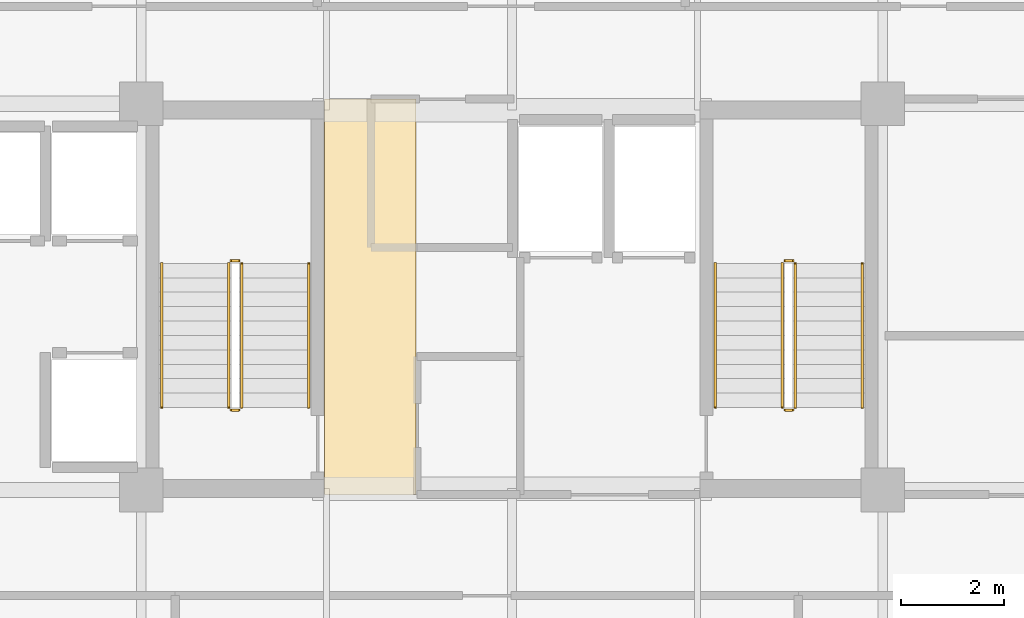
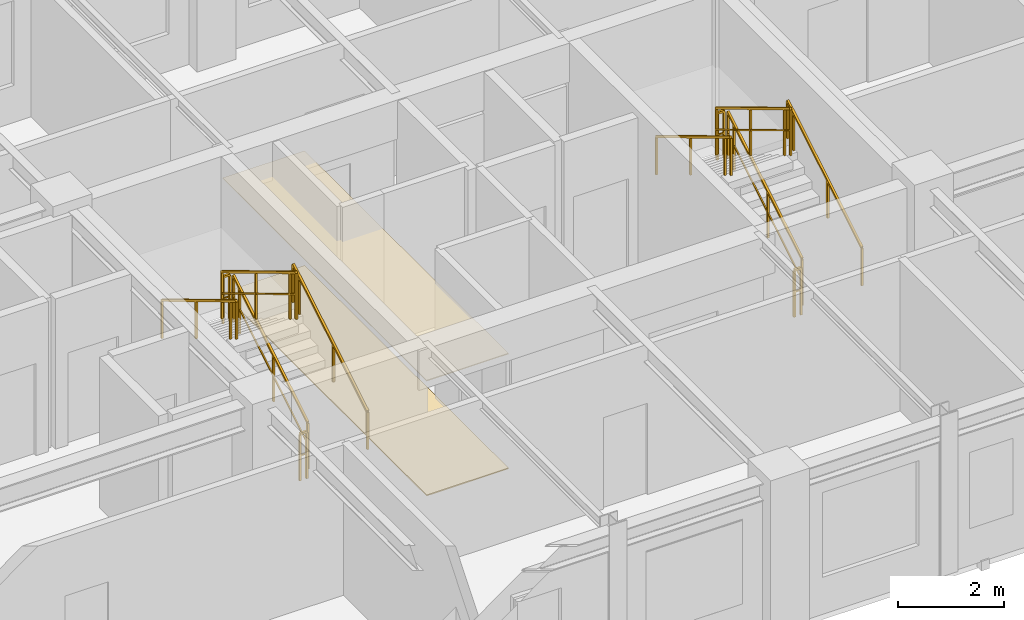
# One storey, part 10 of 11: 12 railings, 2 coverings.
"""IFC4 building model written with IfcOpenShell, lengths in metres."""

from ifc_helpers import new_model, si_unit, direction, frame, origin, origin_2d, place, context, subcontext, project, spatial, rectangle, extrude, source, transform, mapped, material, layer, layer_set, type_object, element, save


model = new_model("IFC4")

# Units and contexts
model_context = context("Model", 3, precision=1e-05, world=origin(), true_north=direction((0.0, 1.0)))
body_context = subcontext(model_context, "Body", "Model", "MODEL_VIEW")
ifc_project = project(units=[si_unit("LENGTHUNIT", "METRE"), si_unit("AREAUNIT", "SQUARE_METRE"), si_unit("VOLUMEUNIT", "CUBIC_METRE"), si_unit("PLANEANGLEUNIT", "RADIAN"), si_unit("MASSUNIT", "GRAM", prefix="KILO")], contexts=[model_context])

# Site, building, storey
site_placement = place(None, origin())
site = spatial("IfcSite", under=ifc_project, at=site_placement, CompositionType="ELEMENT")
building_placement = place(site_placement, origin())
building = spatial("IfcBuilding", under=site, at=building_placement, Name="Kaliganga Portal Commons", CompositionType="ELEMENT")
storey_placement = place(building_placement, frame((0.0, 0.0, 272.10009765625)))
storey = spatial("IfcBuildingStorey", under=building, at=storey_placement, Name="L70", CompositionType="ELEMENT", Elevation=272.10009765625)

# Railings
ifc_material_1 = material(Name="Galvanized Painted Steel Balustrade", Category="steel")
railing_type_1 = type_object("IfcRailingType", Name="RLG-STAIR-GRD", PredefinedType="GUARDRAIL", material=ifc_material_1)
railing_1_placement = place(storey_placement, frame((16.35009765625, 30.25, 0.16796875)))
element("IfcRailing", 1, at=railing_1_placement, inside=storey, type_object=railing_type_1, Name="L70 ST-A1 stair guard 1", PredefinedType="GUARDRAIL", context=body_context, shape_type="SweptSolid", body=[
    extrude(rectangle(XDim=0.048095703125, YDim=0.048095703125, at=origin_2d()), frame((0.0, 0.0, 1.072021484375), z_axis=(0.0, 0.857242210791, 0.514913383045), x_axis=(-1.0, 0.0, 0.0)), (0.0, 0.0, 1.0), 3.266357421875),
    extrude(rectangle(XDim=0.028076171875, YDim=0.028076171875, at=origin_2d()), frame((0.0, 0.0, 0.572021484375), z_axis=(0.0, 0.857242210791, 0.514913383045), x_axis=(-1.0, 0.0, 0.0)), (0.0, 0.0, 1.0), 3.266357421875),
    extrude(rectangle(XDim=0.0419921875, YDim=0.0419921875, at=origin_2d()), origin(), (0.0, 0.0, 1.0), 1.052001953125),
    extrude(rectangle(XDim=0.0419921875, YDim=0.0419921875, at=origin_2d()), frame((0.0, 1.285888671875, 0.7724609375)), (0.0, 0.0, 1.0), 1.052001953125),
    extrude(rectangle(XDim=0.0419921875, YDim=0.0419921875, at=origin_2d()), frame((0.0, 2.57177734375, 1.544677734375)), (0.0, 0.0, 1.0), 1.052001953125),
    extrude(rectangle(XDim=0.0419921875, YDim=0.0419921875, at=origin_2d()), frame((0.0, 2.800048828125, 1.681884765625)), (0.0, 0.0, 1.0), 1.052001953125),
])
railing_2_placement = place(storey_placement, frame((16.300048828125, 33.10009765625, 1.849853515625)))
element("IfcRailing", 2, at=railing_2_placement, inside=storey, type_object=railing_type_1, Name="L70 ST-A1 stair guard 2", PredefinedType="GUARDRAIL", context=body_context, shape_type="SweptSolid", body=[
    extrude(rectangle(XDim=0.048095703125, YDim=0.048095703125, at=origin_2d()), frame((0.0, 0.0, 1.076171875), z_axis=(-1.0, 0.0, 0.0), x_axis=(0.0, -1.0, 0.0)), (0.0, 0.0, 1.0), 0.150146484375),
    extrude(rectangle(XDim=0.028076171875, YDim=0.028076171875, at=origin_2d()), frame((0.0, 0.0, 0.572021484375), z_axis=(-1.0, 0.0, 0.0), x_axis=(0.0, -1.0, 0.0)), (0.0, 0.0, 1.0), 0.150146484375),
    extrude(rectangle(XDim=0.0419921875, YDim=0.0419921875, at=origin_2d()), origin(), (0.0, 0.0, 1.0), 1.052001953125),
    extrude(rectangle(XDim=0.0419921875, YDim=0.0419921875, at=origin_2d()), frame((-0.150146484375, 0.0, 0.0)), (0.0, 0.0, 1.0), 1.052001953125),
])
railing_3_placement = place(storey_placement, frame((16.10009765625, 33.050048828125, 2.01806640625)))
element("IfcRailing", 3, at=railing_3_placement, inside=storey, type_object=railing_type_1, Name="L70 ST-A1 stair guard 3", PredefinedType="GUARDRAIL", context=body_context, shape_type="SweptSolid", body=[
    extrude(rectangle(XDim=0.048095703125, YDim=0.048095703125, at=origin_2d()), frame((0.0, 0.0, 1.072021484375), z_axis=(0.0, -0.857242210791, 0.514913383045), x_axis=(1.0, 0.0, 0.0)), (0.0, 0.0, 1.0), 3.266357421875),
    extrude(rectangle(XDim=0.028076171875, YDim=0.028076171875, at=origin_2d()), frame((0.0, 0.0, 0.572021484375), z_axis=(0.0, -0.857242210791, 0.514913383045), x_axis=(1.0, 0.0, 0.0)), (0.0, 0.0, 1.0), 3.266357421875),
    extrude(rectangle(XDim=0.0419921875, YDim=0.0419921875, at=origin_2d()), origin(), (0.0, 0.0, 1.0), 1.052001953125),
    extrude(rectangle(XDim=0.0419921875, YDim=0.0419921875, at=origin_2d()), frame((0.0, -1.285888671875, 0.7724609375)), (0.0, 0.0, 1.0), 1.052001953125),
    extrude(rectangle(XDim=0.0419921875, YDim=0.0419921875, at=origin_2d()), frame((0.0, -2.57177734375, 1.544677734375)), (0.0, 0.0, 1.0), 1.052001953125),
    extrude(rectangle(XDim=0.0419921875, YDim=0.0419921875, at=origin_2d()), frame((0.0, -2.800048828125, 1.681884765625)), (0.0, 0.0, 1.0), 1.052001953125),
])
railing_4_placement = place(storey_placement, frame((16.300048828125, 30.199951171875, 0.0)))
element("IfcRailing", 4, at=railing_4_placement, inside=storey, type_object=railing_type_1, Name="L70 ST-A1 stair guard 4", PredefinedType="GUARDRAIL", context=body_context, shape_type="SweptSolid", body=[
    extrude(rectangle(XDim=0.048095703125, YDim=0.048095703125, at=origin_2d()), frame((0.0, 0.0, 1.076171875), z_axis=(-1.0, 0.0, 0.0), x_axis=(0.0, -1.0, 0.0)), (0.0, 0.0, 1.0), 0.150146484375),
    extrude(rectangle(XDim=0.028076171875, YDim=0.028076171875, at=origin_2d()), frame((0.0, 0.0, 0.572021484375), z_axis=(-1.0, 0.0, 0.0), x_axis=(0.0, -1.0, 0.0)), (0.0, 0.0, 1.0), 0.150146484375),
    extrude(rectangle(XDim=0.0419921875, YDim=0.0419921875, at=origin_2d()), origin(), (0.0, 0.0, 1.0), 1.052001953125),
    extrude(rectangle(XDim=0.0419921875, YDim=0.0419921875, at=origin_2d()), frame((-0.150146484375, 0.0, 0.0)), (0.0, 0.0, 1.0), 1.052001953125),
])
railing_5_placement = place(storey_placement, frame((27.10009765625, 30.25, 0.16796875)))
element("IfcRailing", 5, at=railing_5_placement, inside=storey, type_object=railing_type_1, Name="L70 ST-A2 stair guard 1", PredefinedType="GUARDRAIL", context=body_context, shape_type="SweptSolid", body=[
    extrude(rectangle(XDim=0.048095703125, YDim=0.048095703125, at=origin_2d()), frame((0.0, 0.0, 1.072021484375), z_axis=(0.0, 0.857242210791, 0.514913383045), x_axis=(-1.0, 0.0, 0.0)), (0.0, 0.0, 1.0), 3.266357421875),
    extrude(rectangle(XDim=0.028076171875, YDim=0.028076171875, at=origin_2d()), frame((0.0, 0.0, 0.572021484375), z_axis=(0.0, 0.857242210791, 0.514913383045), x_axis=(-1.0, 0.0, 0.0)), (0.0, 0.0, 1.0), 3.266357421875),
    extrude(rectangle(XDim=0.0419921875, YDim=0.0419921875, at=origin_2d()), origin(), (0.0, 0.0, 1.0), 1.052001953125),
    extrude(rectangle(XDim=0.0419921875, YDim=0.0419921875, at=origin_2d()), frame((0.0, 1.285888671875, 0.7724609375)), (0.0, 0.0, 1.0), 1.052001953125),
    extrude(rectangle(XDim=0.0419921875, YDim=0.0419921875, at=origin_2d()), frame((0.0, 2.57177734375, 1.544677734375)), (0.0, 0.0, 1.0), 1.052001953125),
    extrude(rectangle(XDim=0.0419921875, YDim=0.0419921875, at=origin_2d()), frame((0.0, 2.800048828125, 1.681884765625)), (0.0, 0.0, 1.0), 1.052001953125),
])
railing_6_placement = place(storey_placement, frame((27.050048828125, 33.10009765625, 1.849853515625)))
element("IfcRailing", 6, at=railing_6_placement, inside=storey, type_object=railing_type_1, Name="L70 ST-A2 stair guard 2", PredefinedType="GUARDRAIL", context=body_context, shape_type="SweptSolid", body=[
    extrude(rectangle(XDim=0.048095703125, YDim=0.048095703125, at=origin_2d()), frame((0.0, 0.0, 1.076171875), z_axis=(-1.0, 0.0, 0.0), x_axis=(0.0, -1.0, 0.0)), (0.0, 0.0, 1.0), 0.150146484375),
    extrude(rectangle(XDim=0.028076171875, YDim=0.028076171875, at=origin_2d()), frame((0.0, 0.0, 0.572021484375), z_axis=(-1.0, 0.0, 0.0), x_axis=(0.0, -1.0, 0.0)), (0.0, 0.0, 1.0), 0.150146484375),
    extrude(rectangle(XDim=0.0419921875, YDim=0.0419921875, at=origin_2d()), origin(), (0.0, 0.0, 1.0), 1.052001953125),
    extrude(rectangle(XDim=0.0419921875, YDim=0.0419921875, at=origin_2d()), frame((-0.150146484375, 0.0, 0.0)), (0.0, 0.0, 1.0), 1.052001953125),
])
railing_7_placement = place(storey_placement, frame((26.85009765625, 33.050048828125, 2.01806640625)))
element("IfcRailing", 7, at=railing_7_placement, inside=storey, type_object=railing_type_1, Name="L70 ST-A2 stair guard 3", PredefinedType="GUARDRAIL", context=body_context, shape_type="SweptSolid", body=[
    extrude(rectangle(XDim=0.048095703125, YDim=0.048095703125, at=origin_2d()), frame((0.0, 0.0, 1.072021484375), z_axis=(0.0, -0.857242210791, 0.514913383045), x_axis=(1.0, 0.0, 0.0)), (0.0, 0.0, 1.0), 3.266357421875),
    extrude(rectangle(XDim=0.028076171875, YDim=0.028076171875, at=origin_2d()), frame((0.0, 0.0, 0.572021484375), z_axis=(0.0, -0.857242210791, 0.514913383045), x_axis=(1.0, 0.0, 0.0)), (0.0, 0.0, 1.0), 3.266357421875),
    extrude(rectangle(XDim=0.0419921875, YDim=0.0419921875, at=origin_2d()), origin(), (0.0, 0.0, 1.0), 1.052001953125),
    extrude(rectangle(XDim=0.0419921875, YDim=0.0419921875, at=origin_2d()), frame((0.0, -1.285888671875, 0.7724609375)), (0.0, 0.0, 1.0), 1.052001953125),
    extrude(rectangle(XDim=0.0419921875, YDim=0.0419921875, at=origin_2d()), frame((0.0, -2.57177734375, 1.544677734375)), (0.0, 0.0, 1.0), 1.052001953125),
    extrude(rectangle(XDim=0.0419921875, YDim=0.0419921875, at=origin_2d()), frame((0.0, -2.800048828125, 1.681884765625)), (0.0, 0.0, 1.0), 1.052001953125),
])
railing_8_placement = place(storey_placement, frame((27.050048828125, 30.199951171875, 0.0)))
element("IfcRailing", 8, at=railing_8_placement, inside=storey, type_object=railing_type_1, Name="L70 ST-A2 stair guard 4", PredefinedType="GUARDRAIL", context=body_context, shape_type="SweptSolid", body=[
    extrude(rectangle(XDim=0.048095703125, YDim=0.048095703125, at=origin_2d()), frame((0.0, 0.0, 1.076171875), z_axis=(-1.0, 0.0, 0.0), x_axis=(0.0, -1.0, 0.0)), (0.0, 0.0, 1.0), 0.150146484375),
    extrude(rectangle(XDim=0.028076171875, YDim=0.028076171875, at=origin_2d()), frame((0.0, 0.0, 0.572021484375), z_axis=(-1.0, 0.0, 0.0), x_axis=(0.0, -1.0, 0.0)), (0.0, 0.0, 1.0), 0.150146484375),
    extrude(rectangle(XDim=0.0419921875, YDim=0.0419921875, at=origin_2d()), origin(), (0.0, 0.0, 1.0), 1.052001953125),
    extrude(rectangle(XDim=0.0419921875, YDim=0.0419921875, at=origin_2d()), frame((-0.150146484375, 0.0, 0.0)), (0.0, 0.0, 1.0), 1.052001953125),
])
ifc_material_2 = material(Name="Brushed Stainless Steel 316", Category="steel")
railing_type_2 = type_object("IfcRailingType", Name="RLG-STAIR-HR", PredefinedType="HANDRAIL", material=ifc_material_2)
railing_9_placement = place(storey_placement, frame((17.64990234375, 30.25, 0.16796875)))
element("IfcRailing", 9, at=railing_9_placement, inside=storey, type_object=railing_type_2, Name="L70 ST-A1 stair handrail 1", PredefinedType="HANDRAIL", context=body_context, shape_type="SweptSolid", body=[
    extrude(rectangle(XDim=0.048095703125, YDim=0.048095703125, at=origin_2d()), frame((0.0, 0.0, 0.871826171875), z_axis=(0.0, 0.857242210791, 0.514913383045), x_axis=(-1.0, 0.0, 0.0)), (0.0, 0.0, 1.0), 3.266357421875),
    extrude(rectangle(XDim=0.0419921875, YDim=0.0419921875, at=origin_2d()), origin(), (0.0, 0.0, 1.0), 0.851806640625),
    extrude(rectangle(XDim=0.0419921875, YDim=0.0419921875, at=origin_2d()), frame((0.0, 1.285888671875, 0.7724609375)), (0.0, 0.0, 1.0), 0.851806640625),
    extrude(rectangle(XDim=0.0419921875, YDim=0.0419921875, at=origin_2d()), frame((0.0, 2.57177734375, 1.544677734375)), (0.0, 0.0, 1.0), 0.851806640625),
    extrude(rectangle(XDim=0.0419921875, YDim=0.0419921875, at=origin_2d()), frame((0.0, 2.800048828125, 1.681884765625)), (0.0, 0.0, 1.0), 0.851806640625),
])
railing_10_placement = place(storey_placement, frame((14.800048828125, 33.050048828125, 2.01806640625)))
element("IfcRailing", 10, at=railing_10_placement, inside=storey, type_object=railing_type_2, Name="L70 ST-A1 stair handrail 2", PredefinedType="HANDRAIL", context=body_context, shape_type="SweptSolid", body=[
    extrude(rectangle(XDim=0.048095703125, YDim=0.048095703125, at=origin_2d()), frame((0.0, 0.0, 0.871826171875), z_axis=(0.0, -0.857242210791, 0.514913383045), x_axis=(1.0, 0.0, 0.0)), (0.0, 0.0, 1.0), 3.266357421875),
    extrude(rectangle(XDim=0.0419921875, YDim=0.0419921875, at=origin_2d()), origin(), (0.0, 0.0, 1.0), 0.851806640625),
    extrude(rectangle(XDim=0.0419921875, YDim=0.0419921875, at=origin_2d()), frame((0.0, -1.285888671875, 0.7724609375)), (0.0, 0.0, 1.0), 0.851806640625),
    extrude(rectangle(XDim=0.0419921875, YDim=0.0419921875, at=origin_2d()), frame((0.0, -2.57177734375, 1.544677734375)), (0.0, 0.0, 1.0), 0.851806640625),
    extrude(rectangle(XDim=0.0419921875, YDim=0.0419921875, at=origin_2d()), frame((0.0, -2.800048828125, 1.681884765625)), (0.0, 0.0, 1.0), 0.851806640625),
])
railing_11_placement = place(storey_placement, frame((28.39990234375, 30.25, 0.16796875)))
element("IfcRailing", 11, at=railing_11_placement, inside=storey, type_object=railing_type_2, Name="L70 ST-A2 stair handrail 1", PredefinedType="HANDRAIL", context=body_context, shape_type="SweptSolid", body=[
    extrude(rectangle(XDim=0.048095703125, YDim=0.048095703125, at=origin_2d()), frame((0.0, 0.0, 0.871826171875), z_axis=(0.0, 0.857242210791, 0.514913383045), x_axis=(-1.0, 0.0, 0.0)), (0.0, 0.0, 1.0), 3.266357421875),
    extrude(rectangle(XDim=0.0419921875, YDim=0.0419921875, at=origin_2d()), origin(), (0.0, 0.0, 1.0), 0.851806640625),
    extrude(rectangle(XDim=0.0419921875, YDim=0.0419921875, at=origin_2d()), frame((0.0, 1.285888671875, 0.7724609375)), (0.0, 0.0, 1.0), 0.851806640625),
    extrude(rectangle(XDim=0.0419921875, YDim=0.0419921875, at=origin_2d()), frame((0.0, 2.57177734375, 1.544677734375)), (0.0, 0.0, 1.0), 0.851806640625),
    extrude(rectangle(XDim=0.0419921875, YDim=0.0419921875, at=origin_2d()), frame((0.0, 2.800048828125, 1.681884765625)), (0.0, 0.0, 1.0), 0.851806640625),
])
railing_12_placement = place(storey_placement, frame((25.550048828125, 33.050048828125, 2.01806640625)))
element("IfcRailing", 12, at=railing_12_placement, inside=storey, type_object=railing_type_2, Name="L70 ST-A2 stair handrail 2", PredefinedType="HANDRAIL", context=body_context, shape_type="SweptSolid", body=[
    extrude(rectangle(XDim=0.048095703125, YDim=0.048095703125, at=origin_2d()), frame((0.0, 0.0, 0.871826171875), z_axis=(0.0, -0.857242210791, 0.514913383045), x_axis=(1.0, 0.0, 0.0)), (0.0, 0.0, 1.0), 3.266357421875),
    extrude(rectangle(XDim=0.0419921875, YDim=0.0419921875, at=origin_2d()), origin(), (0.0, 0.0, 1.0), 0.851806640625),
    extrude(rectangle(XDim=0.0419921875, YDim=0.0419921875, at=origin_2d()), frame((0.0, -1.285888671875, 0.7724609375)), (0.0, 0.0, 1.0), 0.851806640625),
    extrude(rectangle(XDim=0.0419921875, YDim=0.0419921875, at=origin_2d()), frame((0.0, -2.57177734375, 1.544677734375)), (0.0, 0.0, 1.0), 0.851806640625),
    extrude(rectangle(XDim=0.0419921875, YDim=0.0419921875, at=origin_2d()), frame((0.0, -2.800048828125, 1.681884765625)), (0.0, 0.0, 1.0), 0.851806640625),
])

# Coverings
ifc_material_3 = material(Name="Acoustic Micro-Perforated Gypsum Ceiling", Category="gypsum")
ifc_layer_1 = layer(ifc_material_3, 0.02001953125)
ifc_layer_set_1 = layer_set([ifc_layer_1], Name="Acoustic Micro-Perforated Gypsum Ceiling")
covering_type_1 = type_object("IfcCoveringType", Name="COV-CEIL-GYP", PredefinedType="CEILING", material=ifc_layer_set_1)
shared_shape_1 = source(origin(), body_context, "Body", "SweptSolid", [
    extrude(rectangle(XDim=1.780029296875, YDim=7.679931640625, at=origin_2d()), origin(), (0.0, 0.0, 1.0), 0.02001953125),
])
covering_1_placement = place(storey_placement, frame((18.85009765625, 32.39990234375, 2.639892578125), z_axis=(0.0, 0.0, 1.0), x_axis=(1.0, 0.0, 0.0)))
element("IfcCovering", 13, at=covering_1_placement, inside=storey, type_object=covering_type_1, Name="Acoustic Ceiling L70 PLOB_A", PredefinedType="CEILING", context=body_context, shape_type="MappedRepresentation", body=[
    mapped(shared_shape_1, transform((0.0, 0.0, 0.0), x_axis=(1.0, 0.0, 0.0), y_axis=(0.0, 1.0, 0.0), z_axis=(0.0, 0.0, 1.0), scale=1.0)),
])
ifc_material_4 = material(Name="Polished Sylhet Stone Terrazzo Flooring", Category="masonry")
ifc_layer_2 = layer(ifc_material_4, 0.02490234375)
ifc_layer_set_2 = layer_set([ifc_layer_2], Name="Polished Sylhet Stone Terrazzo Flooring")
covering_type_2 = type_object("IfcCoveringType", Name="COV-FLR-TERRAZZO", PredefinedType="FLOORING", material=ifc_layer_set_2)
shared_shape_2 = source(origin(), body_context, "Body", "SweptSolid", [
    extrude(rectangle(XDim=1.780029296875, YDim=7.679931640625, at=origin_2d()), origin(), (0.0, 0.0, 1.0), 0.02490234375),
])
covering_2_placement = place(storey_placement, frame((18.85009765625, 32.39990234375, 0.00048828125), z_axis=(0.0, 0.0, 1.0), x_axis=(1.0, 0.0, 0.0)))
element("IfcCovering", 14, at=covering_2_placement, inside=storey, type_object=covering_type_2, Name="Terrazzo Flooring L70 PLOB_A", PredefinedType="FLOORING", context=body_context, shape_type="MappedRepresentation", body=[
    mapped(shared_shape_2, transform((0.0, 0.0, 0.0), x_axis=(1.0, 0.0, 0.0), y_axis=(0.0, 1.0, 0.0), z_axis=(0.0, 0.0, 1.0), scale=1.0)),
])

save(model, "model.ifc")
